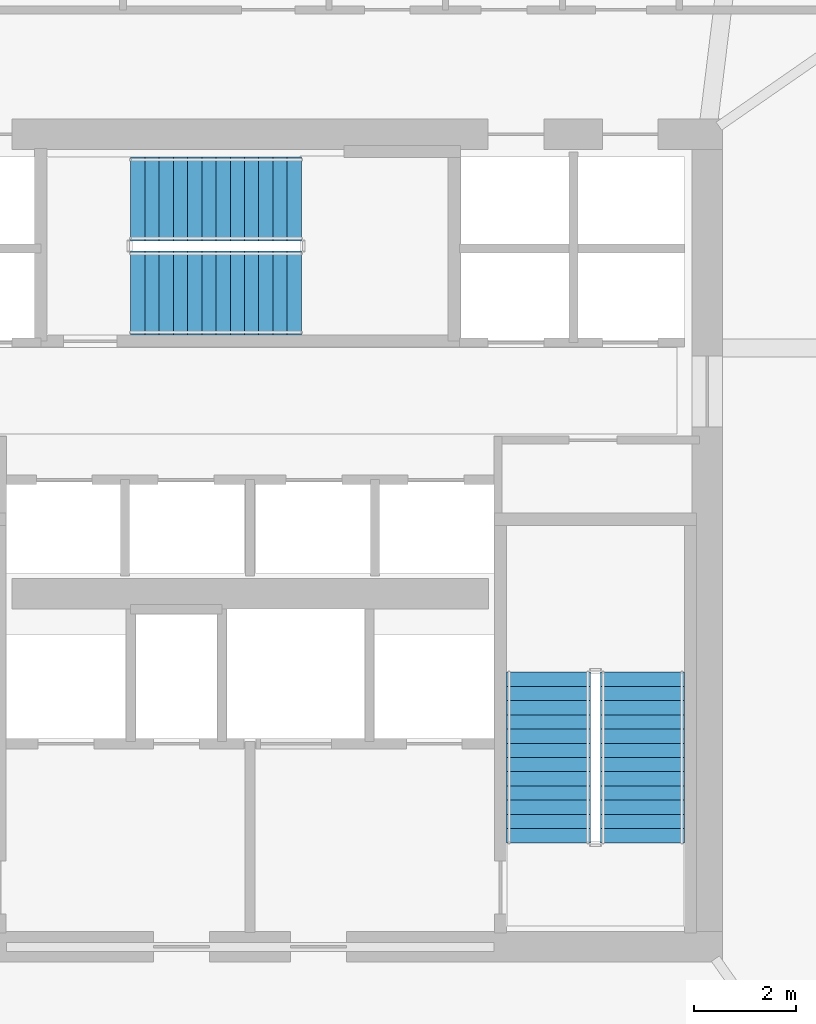
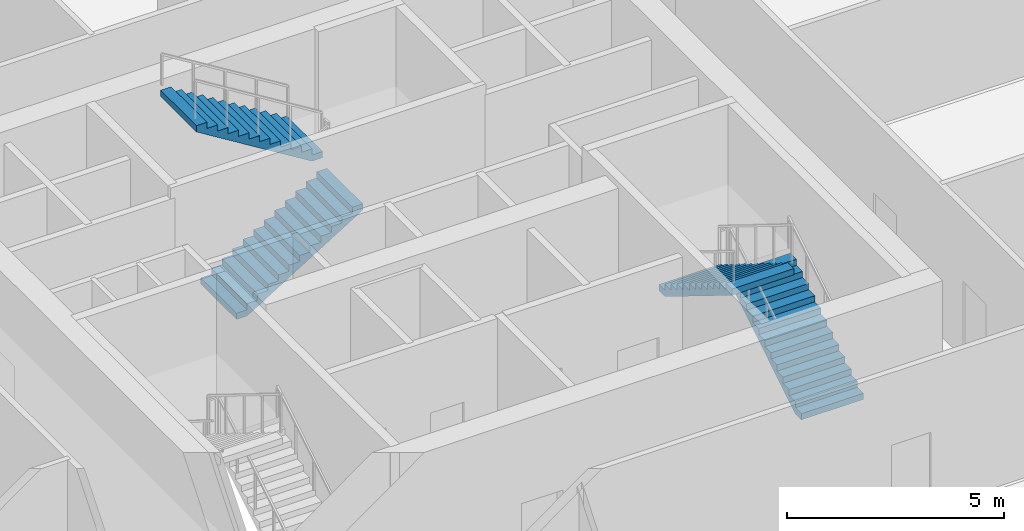
# One storey, part 23 of 29: 4 stair flights, 2 elements without a shape of their own.
"""IFC4 building model written with IfcOpenShell, lengths in metres."""

from ifc_helpers import new_model, si_unit, direction, frame, origin, place, context, subcontext, project, spatial, polyline, outline, extrude, material, type_object, element, aggregate, save


model = new_model("IFC4")

# Units and contexts
model_context = context("Model", 3, precision=1e-05, world=origin(), true_north=direction((0.0, 1.0)))
body_context = subcontext(model_context, "Body", "Model", "MODEL_VIEW")
ifc_project = project(units=[si_unit("LENGTHUNIT", "METRE"), si_unit("AREAUNIT", "SQUARE_METRE"), si_unit("VOLUMEUNIT", "CUBIC_METRE"), si_unit("PLANEANGLEUNIT", "RADIAN"), si_unit("MASSUNIT", "GRAM", prefix="KILO")], contexts=[model_context])

# Site, building, storey
site_placement = place(None, origin())
site = spatial("IfcSite", under=ifc_project, at=site_placement, CompositionType="ELEMENT")
building_placement = place(site_placement, origin())
building = spatial("IfcBuilding", under=site, at=building_placement, Name="Haldenkirk Collegiate Tower", CompositionType="ELEMENT")
storey_placement = place(building_placement, frame((0.0, 0.0, 28.199951171875)))
storey = spatial("IfcBuildingStorey", under=building, at=storey_placement, Name="L05", CompositionType="ELEMENT", Elevation=28.199951171875)

# Stair, stair flights
ifc_material = material(Name="Concrete f'c 40 MPa", Category="concrete")
stair_type = type_object("IfcStairType", Name="STR-DOGLEG-1650", PredefinedType="HALF_TURN_STAIR", material=ifc_material)
stair_1_placement = place(storey_placement, origin())
stair_1 = element("IfcStair", 1, at=stair_1_placement, inside=storey, type_object=stair_type, Name="L05 Core Exit Stair ST-2", PredefinedType="HALF_TURN_STAIR")
stair_flight_type = type_object("IfcStairFlightType", Name="STF-FLIGHT-1650", PredefinedType="STRAIGHT", material=ifc_material)
stair_flight_1_placement = place(storey_placement, frame((43.72509765625, 20.050048828125, 0.0), z_axis=(0.0, 0.0, 1.0), x_axis=(0.0, 1.0, 0.0)))
stair_flight_1 = element("IfcStairFlight", 2, at=stair_flight_1_placement, type_object=stair_flight_type, Name="ST-2 flight 1", NumberOfRisers=13, NumberOfTreads=12, PredefinedType="STRAIGHT", RiserHeight=0.173076923, TreadLength=0.28, context=body_context, shape_type="SweptSolid", body=[
    extrude(outline(polyline([(0.0, 0.0), (0.0, 0.173095703125), (0.280029296875, 0.173095703125), (0.280029296875, 0.34619140625), (0.56005859375, 0.34619140625), (0.56005859375, 0.519287109375), (0.840087890625, 0.519287109375), (0.840087890625, 0.6923828125), (1.1201171875, 0.6923828125), (1.1201171875, 0.865478515625), (1.39990234375, 0.865478515625), (1.39990234375, 1.03857421875), (1.679931640625, 1.03857421875), (1.679931640625, 1.21142578125), (1.9599609375, 1.21142578125), (1.9599609375, 1.384521484375), (2.239990234375, 1.384521484375), (2.239990234375, 1.5576171875), (2.52001953125, 1.5576171875), (2.52001953125, 1.730712890625), (2.800048828125, 1.730712890625), (2.800048828125, 1.90380859375), (3.080078125, 1.90380859375), (3.080078125, 2.076904296875), (3.360107421875, 2.076904296875), (3.360107421875, 2.25), (3.360107421875, 1.900634765625), (0.28515625, 0.0), (0.0, 0.0)])), frame((0.0, 0.824951171875, 0.0), z_axis=(0.0, -1.0, 0.0), x_axis=(1.0, 0.0, 0.0)), (0.0, 0.0, 1.0), 1.64990234375),
])
stair_flight_2_placement = place(storey_placement, frame((41.875, 23.409912109375, 2.25), z_axis=(0.0, 0.0, 1.0), x_axis=(0.0, -1.0, 0.0)))
stair_flight_2 = element("IfcStairFlight", 3, at=stair_flight_2_placement, type_object=stair_flight_type, Name="ST-2 flight 2", NumberOfRisers=13, NumberOfTreads=12, PredefinedType="STRAIGHT", RiserHeight=0.173076923, TreadLength=0.28, context=body_context, shape_type="SweptSolid", body=[
    extrude(outline(polyline([(0.0, 0.0), (0.0, 0.173095703125), (0.280029296875, 0.173095703125), (0.280029296875, 0.34619140625), (0.56005859375, 0.34619140625), (0.56005859375, 0.519287109375), (0.840087890625, 0.519287109375), (0.840087890625, 0.6923828125), (1.1201171875, 0.6923828125), (1.1201171875, 0.865478515625), (1.39990234375, 0.865478515625), (1.39990234375, 1.03857421875), (1.679931640625, 1.03857421875), (1.679931640625, 1.21142578125), (1.9599609375, 1.21142578125), (1.9599609375, 1.384521484375), (2.239990234375, 1.384521484375), (2.239990234375, 1.5576171875), (2.52001953125, 1.5576171875), (2.52001953125, 1.730712890625), (2.800048828125, 1.730712890625), (2.800048828125, 1.90380859375), (3.080078125, 1.90380859375), (3.080078125, 2.076904296875), (3.360107421875, 2.076904296875), (3.360107421875, 2.25), (3.360107421875, 1.900634765625), (0.28515625, 0.0), (0.0, 0.0)])), frame((0.0, 0.824951171875, 0.0), z_axis=(0.0, -1.0, 0.0), x_axis=(1.0, 0.0, 0.0)), (0.0, 0.0, 1.0), 1.64990234375),
])
aggregate(stair_1, [stair_flight_1, stair_flight_2])

stair_2_placement = place(storey_placement, origin())
stair_2 = element("IfcStair", 4, at=stair_2_placement, inside=storey, type_object=stair_type, Name="L05 Core Exit Stair ST-3", PredefinedType="HALF_TURN_STAIR")
stair_flight_3_placement = place(storey_placement, frame((33.64990234375, 30.875, 0.0), z_axis=(0.0, 0.0, 1.0), x_axis=(1.0, 0.0, 0.0)))
stair_flight_3 = element("IfcStairFlight", 5, at=stair_flight_3_placement, type_object=stair_flight_type, Name="ST-3 flight 1", NumberOfRisers=13, NumberOfTreads=12, PredefinedType="STRAIGHT", RiserHeight=0.173076923, TreadLength=0.28, context=body_context, shape_type="SweptSolid", body=[
    extrude(outline(polyline([(0.0, 0.0), (0.0, 0.173095703125), (0.280029296875, 0.173095703125), (0.280029296875, 0.34619140625), (0.56005859375, 0.34619140625), (0.56005859375, 0.519287109375), (0.840087890625, 0.519287109375), (0.840087890625, 0.6923828125), (1.1201171875, 0.6923828125), (1.1201171875, 0.865478515625), (1.39990234375, 0.865478515625), (1.39990234375, 1.03857421875), (1.679931640625, 1.03857421875), (1.679931640625, 1.21142578125), (1.9599609375, 1.21142578125), (1.9599609375, 1.384521484375), (2.239990234375, 1.384521484375), (2.239990234375, 1.5576171875), (2.52001953125, 1.5576171875), (2.52001953125, 1.730712890625), (2.800048828125, 1.730712890625), (2.800048828125, 1.90380859375), (3.080078125, 1.90380859375), (3.080078125, 2.076904296875), (3.360107421875, 2.076904296875), (3.360107421875, 2.25), (3.360107421875, 1.900634765625), (0.28515625, 0.0), (0.0, 0.0)])), frame((0.0, 0.824951171875, 0.0), z_axis=(0.0, -1.0, 0.0), x_axis=(1.0, 0.0, 0.0)), (0.0, 0.0, 1.0), 1.64990234375),
])
stair_flight_4_placement = place(storey_placement, frame((37.010009765625, 32.72509765625, 2.25), z_axis=(0.0, 0.0, 1.0), x_axis=(-1.0, 0.0, 0.0)))
stair_flight_4 = element("IfcStairFlight", 6, at=stair_flight_4_placement, type_object=stair_flight_type, Name="ST-3 flight 2", NumberOfRisers=13, NumberOfTreads=12, PredefinedType="STRAIGHT", RiserHeight=0.173076923, TreadLength=0.28, context=body_context, shape_type="SweptSolid", body=[
    extrude(outline(polyline([(0.0, 0.0), (0.0, 0.173095703125), (0.280029296875, 0.173095703125), (0.280029296875, 0.34619140625), (0.56005859375, 0.34619140625), (0.56005859375, 0.519287109375), (0.840087890625, 0.519287109375), (0.840087890625, 0.6923828125), (1.1201171875, 0.6923828125), (1.1201171875, 0.865478515625), (1.39990234375, 0.865478515625), (1.39990234375, 1.03857421875), (1.679931640625, 1.03857421875), (1.679931640625, 1.21142578125), (1.9599609375, 1.21142578125), (1.9599609375, 1.384521484375), (2.239990234375, 1.384521484375), (2.239990234375, 1.5576171875), (2.52001953125, 1.5576171875), (2.52001953125, 1.730712890625), (2.800048828125, 1.730712890625), (2.800048828125, 1.90380859375), (3.080078125, 1.90380859375), (3.080078125, 2.076904296875), (3.360107421875, 2.076904296875), (3.360107421875, 2.25), (3.360107421875, 1.900634765625), (0.28515625, 0.0), (0.0, 0.0)])), frame((0.0, 0.824951171875, 0.0), z_axis=(0.0, -1.0, 0.0), x_axis=(1.0, 0.0, 0.0)), (0.0, 0.0, 1.0), 1.64990234375),
])
aggregate(stair_2, [stair_flight_3, stair_flight_4])

save(model, "model.ifc")
